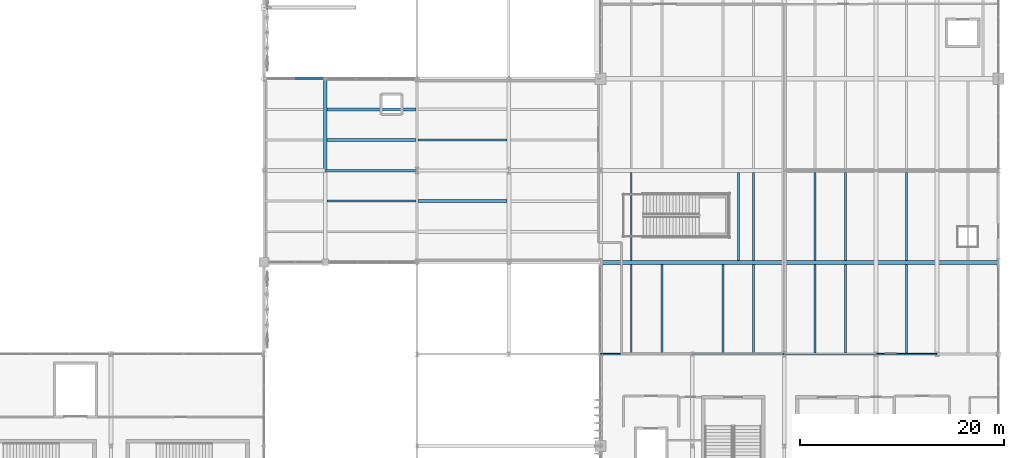
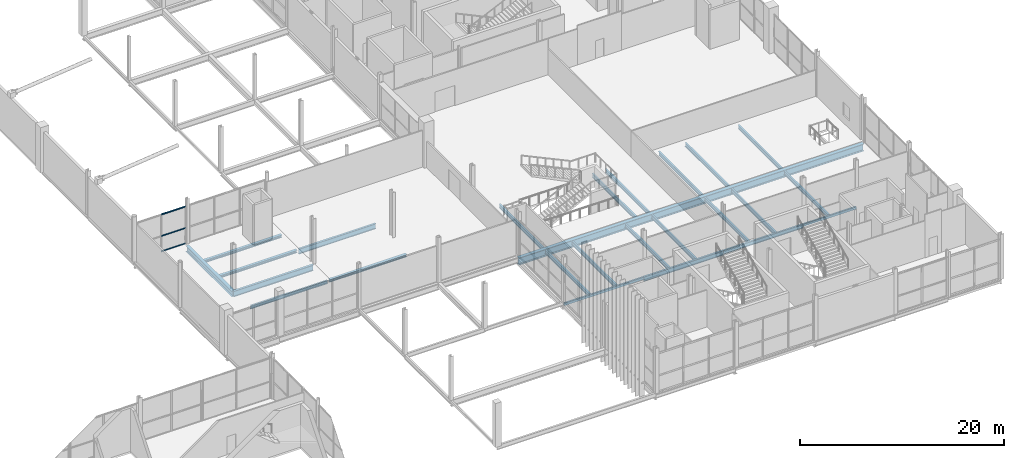
# One storey, part 46 of 119: 25 beams, 3 members, 1 element without a shape of its own.
"""IFC4 building model written with IfcOpenShell, lengths in metres."""

from ifc_helpers import new_model, si_unit, direction, frame, origin, origin_2d, place, context, subcontext, project, spatial, rectangle, hollow_rectangle, i_section, extrude, material, layer, layer_set, material_profile, profile_set, type_object, element, aggregate, save


model = new_model("IFC4")

# Units and contexts
model_context = context("Model", 3, precision=1e-05, world=origin(), true_north=direction((0.0, 1.0)))
body_context = subcontext(model_context, "Body", "Model", "MODEL_VIEW")
ifc_project = project(units=[si_unit("LENGTHUNIT", "METRE"), si_unit("AREAUNIT", "SQUARE_METRE"), si_unit("VOLUMEUNIT", "CUBIC_METRE"), si_unit("PLANEANGLEUNIT", "RADIAN"), si_unit("MASSUNIT", "GRAM", prefix="KILO")], contexts=[model_context])

# Site, building, storey
site_placement = place(None, origin())
site = spatial("IfcSite", under=ifc_project, at=site_placement, CompositionType="ELEMENT")
building_placement = place(site_placement, origin())
building = spatial("IfcBuilding", under=site, at=building_placement, Name="Qamarlyn Nura Convention Centre", CompositionType="ELEMENT")
storey_placement = place(building_placement, frame((0.0, 0.0, 5.39990234375)))
storey = spatial("IfcBuildingStorey", under=building, at=storey_placement, Name="L01", CompositionType="ELEMENT", Elevation=5.39990234375)

# Beams
ifc_material_1 = material(Name="Steel ASTM A992", Category="steel")
ifc_material_profile_1 = material_profile(ifc_material_1, i_section(OverallWidth=0.35498046875, OverallDepth=0.695068359375, WebThickness=0.015380859375, FlangeThickness=0.02490234375, FilletRadius=0.01806640625, at=origin_2d()), Name="W690X217")
ifc_profile_set_1 = profile_set([ifc_material_profile_1], Name="Steel ASTM A992")
beam_type_1 = type_object("IfcBeamType", Name="BM-GIRD-690A", PredefinedType="BEAM", material=ifc_profile_set_1)
beam_1_placement = place(storey_placement, frame((126.0, 36.0, -0.58740234375), z_axis=(0.0, 1.0, 0.0), x_axis=(-1.0, 0.0, 0.0)))
element("IfcBeam", 1, at=beam_1_placement, inside=storey, type_object=beam_type_1, Name="L01 girder 10 E-F", PredefinedType="BEAM", context=body_context, shape_type="SweptSolid", body=[
    extrude(i_section(OverallWidth=0.35498046875, OverallDepth=0.695068359375, WebThickness=0.015380859375, FlangeThickness=0.02490234375, FilletRadius=0.01806640625, at=origin_2d()), origin(), (0.0, 0.0, 1.0), 9.0),
])
ifc_material_profile_2 = material_profile(ifc_material_1, i_section(OverallWidth=0.25390625, OverallDepth=0.68408203125, WebThickness=0.012451171875, FlangeThickness=0.01904296875, FilletRadius=0.01806640625, at=origin_2d()), Name="W690X140")
ifc_profile_set_2 = profile_set([ifc_material_profile_2], Name="Steel ASTM A992")
beam_type_2 = type_object("IfcBeamType", Name="BM-GIRD-690B", PredefinedType="BEAM", material=ifc_profile_set_2)
beam_2_placement = place(storey_placement, frame((126.0, 36.0, -0.581787109375), z_axis=(1.0, 0.0, 0.0), x_axis=(0.0, 1.0, 0.0)))
element("IfcBeam", 2, at=beam_2_placement, inside=storey, type_object=beam_type_2, Name="L01 girder E 10-11", PredefinedType="BEAM", context=body_context, shape_type="SweptSolid", body=[
    extrude(i_section(OverallWidth=0.25390625, OverallDepth=0.68408203125, WebThickness=0.012451171875, FlangeThickness=0.01904296875, FilletRadius=0.01806640625, at=origin_2d()), origin(), (0.0, 0.0, 1.0), 9.0),
])
ifc_material_profile_3 = material_profile(ifc_material_1, i_section(OverallWidth=0.39990234375, OverallDepth=0.85498046875, WebThickness=0.018310546875, FlangeThickness=0.029296875, FilletRadius=0.02197265625, at=origin_2d()), Name="W840X299")
ifc_profile_set_3 = profile_set([ifc_material_profile_3], Name="Steel ASTM A992")
beam_type_3 = type_object("IfcBeamType", Name="BM-GIRD-840", PredefinedType="BEAM", material=ifc_profile_set_3)
beam_3_placement = place(storey_placement, frame((153.0, 27.0, -0.6474609375), z_axis=(1.0, 0.0, 0.0), x_axis=(0.0, 1.0, 0.0)))
element("IfcBeam", 3, at=beam_3_placement, inside=storey, type_object=beam_type_3, Name="L01 girder D 13-18", PredefinedType="BEAM", context=body_context, shape_type="SweptSolid", body=[
    extrude(i_section(OverallWidth=0.39990234375, OverallDepth=0.85498046875, WebThickness=0.018310546875, FlangeThickness=0.029296875, FilletRadius=0.02197265625, at=origin_2d()), origin(), (0.0, 0.0, 1.0), 39.0),
])
ifc_material_profile_4 = material_profile(ifc_material_1, i_section(OverallWidth=0.304931640625, OverallDepth=0.30810546875, WebThickness=0.010009765625, FlangeThickness=0.015380859375, FilletRadius=0.014892578125, at=origin_2d()), Name="W310X97")
ifc_profile_set_4 = profile_set([ifc_material_profile_4], Name="Steel ASTM A992")
beam_type_4 = type_object("IfcBeamType", Name="BM-JOIST-310", PredefinedType="JOIST", material=ifc_profile_set_4)
for number, where, z_axis, x_axis, name in (
    (4, (126.177490234375, 39.0, -0.393798828125), (1.0, 0.0, 0.0), (0.0, 1.0, 0.0), "L01 composite joist 10-11/E+1"),
    (5, (126.177490234375, 42.0, -0.393798828125), (1.0, 0.0, 0.0), (0.0, 1.0, 0.0), "L01 composite joist 10-11/E+2"),
):
    element("IfcBeam", number, at=place(storey_placement, frame(where, z_axis=z_axis, x_axis=x_axis)), inside=storey, type_object=beam_type_4, Name=name, PredefinedType="JOIST", context=body_context, shape_type="SweptSolid", body=[
        extrude(i_section(OverallWidth=0.304931640625, OverallDepth=0.30810546875, WebThickness=0.010009765625, FlangeThickness=0.015380859375, FilletRadius=0.014892578125, at=origin_2d()), origin(), (0.0, 0.0, 1.0), 8.717041015625),
    ])
beam_4_placement = place(storey_placement, frame((135.10009765625, 33.0, -0.3740234375), z_axis=(1.0, 0.0, 0.0), x_axis=(0.0, 1.0, 0.0)))
element("IfcBeam", 6, at=beam_4_placement, inside=storey, type_object=beam_type_4, Name="L01 composite joist 11-12/D+2", PredefinedType="JOIST", context=body_context, shape_type="SweptSolid", body=[
    extrude(i_section(OverallWidth=0.304931640625, OverallDepth=0.30810546875, WebThickness=0.010009765625, FlangeThickness=0.015380859375, FilletRadius=0.014892578125, at=origin_2d()), origin(), (0.0, 0.0, 1.0), 8.70947265625),
])
ifc_material_profile_5 = material_profile(ifc_material_1, i_section(OverallWidth=0.177978515625, OverallDepth=0.406982421875, WebThickness=0.0078125, FlangeThickness=0.0126953125, FilletRadius=0.011962890625, at=origin_2d()), Name="W410X60")
ifc_profile_set_5 = profile_set([ifc_material_profile_5], Name="Steel ASTM A992")
beam_type_5 = type_object("IfcBeamType", Name="BM-JOIST-410", PredefinedType="JOIST", material=ifc_profile_set_5)
beam_5_placement = place(storey_placement, frame((126.1904296875, 33.0, -0.443359375), z_axis=(1.0, 0.0, 0.0), x_axis=(0.0, 1.0, 0.0)))
element("IfcBeam", 7, at=beam_5_placement, inside=storey, type_object=beam_type_5, Name="L01 composite joist 10-11/D+2", PredefinedType="JOIST", context=body_context, shape_type="SweptSolid", body=[
    extrude(i_section(OverallWidth=0.177978515625, OverallDepth=0.406982421875, WebThickness=0.0078125, FlangeThickness=0.0126953125, FilletRadius=0.011962890625, at=origin_2d()), origin(), (0.0, 0.0, 1.0), 8.70947265625),
])
ifc_material_profile_6 = material_profile(ifc_material_1, i_section(OverallWidth=0.18994140625, OverallDepth=0.45703125, WebThickness=0.009033203125, FlangeThickness=0.014404296875, FilletRadius=0.012939453125, at=origin_2d()), Name="W460X74")
ifc_profile_set_6 = profile_set([ifc_material_profile_6], Name="Steel ASTM A992")
beam_type_6 = type_object("IfcBeamType", Name="BM-JOIST-460", PredefinedType="JOIST", material=ifc_profile_set_6)
for number, where, z_axis, x_axis, name in (
    (8, (156.0, 18.10009765625, -0.448486328125), (0.0, 1.0, 0.0), (-1.0, 0.0, 0.0), "L01 secondary joist 13-14/C-D-05"),
    (9, (159.0, 18.10009765625, -0.448486328125), (0.0, 1.0, 0.0), (-1.0, 0.0, 0.0), "L01 secondary joist 13-14/C-D-06"),
):
    element("IfcBeam", number, at=place(storey_placement, frame(where, z_axis=z_axis, x_axis=x_axis)), inside=storey, type_object=beam_type_6, Name=name, PredefinedType="JOIST", context=body_context, shape_type="SweptSolid", body=[
        extrude(i_section(OverallWidth=0.18994140625, OverallDepth=0.45703125, WebThickness=0.009033203125, FlangeThickness=0.014404296875, FilletRadius=0.012939453125, at=origin_2d()), origin(), (0.0, 0.0, 1.0), 8.699951171875),
    ])
beam_6_placement = place(storey_placement, frame((156.0, 27.199951171875, -0.448486328125), z_axis=(0.0, 1.0, 0.0), x_axis=(-1.0, 0.0, 0.0)))
element("IfcBeam", 10, at=beam_6_placement, inside=storey, type_object=beam_type_6, Name="L01 secondary joist 13-14/D-E-07", PredefinedType="JOIST", context=body_context, shape_type="SweptSolid", body=[
    extrude(i_section(OverallWidth=0.18994140625, OverallDepth=0.45703125, WebThickness=0.009033203125, FlangeThickness=0.014404296875, FilletRadius=0.012939453125, at=origin_2d()), origin(), (0.0, 0.0, 1.0), 8.60009765625),
])
for number, where, z_axis, x_axis, name in (
    (11, (165.0, 18.10546875, -0.448486328125), (0.0, 1.0, 0.0), (-1.0, 0.0, 0.0), "L01 secondary joist 14-15/C-D-14"),
    (12, (168.0, 18.10546875, -0.448486328125), (0.0, 1.0, 0.0), (-1.0, 0.0, 0.0), "L01 secondary joist 14-15/C-D-15"),
):
    element("IfcBeam", number, at=place(storey_placement, frame(where, z_axis=z_axis, x_axis=x_axis)), inside=storey, type_object=beam_type_6, Name=name, PredefinedType="JOIST", context=body_context, shape_type="SweptSolid", body=[
        extrude(i_section(OverallWidth=0.18994140625, OverallDepth=0.45703125, WebThickness=0.009033203125, FlangeThickness=0.014404296875, FilletRadius=0.012939453125, at=origin_2d()), origin(), (0.0, 0.0, 1.0), 8.694580078125),
    ])
for number, where, z_axis, x_axis, name in (
    (13, (168.0, 27.199951171875, -0.448486328125), (0.0, 1.0, 0.0), (-1.0, 0.0, 0.0), "L01 secondary joist 14-15/D-E-16"),
    (14, (166.5, 27.199951171875, -0.448486328125), (0.0, 1.0, 0.0), (-1.0, 0.0, 0.0), "L01 secondary joist 14-15/D-E-17"),
):
    element("IfcBeam", number, at=place(storey_placement, frame(where, z_axis=z_axis, x_axis=x_axis)), inside=storey, type_object=beam_type_6, Name=name, PredefinedType="JOIST", context=body_context, shape_type="SweptSolid", body=[
        extrude(i_section(OverallWidth=0.18994140625, OverallDepth=0.45703125, WebThickness=0.009033203125, FlangeThickness=0.014404296875, FilletRadius=0.012939453125, at=origin_2d()), origin(), (0.0, 0.0, 1.0), 8.60009765625),
    ])
for number, where, z_axis, x_axis, name in (
    (15, (174.0, 18.096435546875, -0.448486328125), (0.0, 1.0, 0.0), (-1.0, 0.0, 0.0), "L01 secondary joist 15-16/C-D-22"),
    (16, (177.0, 18.096435546875, -0.448486328125), (0.0, 1.0, 0.0), (-1.0, 0.0, 0.0), "L01 secondary joist 15-16/C-D-23"),
):
    element("IfcBeam", number, at=place(storey_placement, frame(where, z_axis=z_axis, x_axis=x_axis)), inside=storey, type_object=beam_type_6, Name=name, PredefinedType="JOIST", context=body_context, shape_type="SweptSolid", body=[
        extrude(i_section(OverallWidth=0.18994140625, OverallDepth=0.45703125, WebThickness=0.009033203125, FlangeThickness=0.014404296875, FilletRadius=0.012939453125, at=origin_2d()), origin(), (0.0, 0.0, 1.0), 8.70361328125),
    ])
for number, where, z_axis, x_axis, name in (
    (17, (174.0, 27.199951171875, -0.448486328125), (0.0, 1.0, 0.0), (-1.0, 0.0, 0.0), "L01 secondary joist 15-16/D-E-24"),
    (18, (177.0, 27.199951171875, -0.448486328125), (0.0, 1.0, 0.0), (-1.0, 0.0, 0.0), "L01 secondary joist 15-16/D-E-25"),
):
    element("IfcBeam", number, at=place(storey_placement, frame(where, z_axis=z_axis, x_axis=x_axis)), inside=storey, type_object=beam_type_6, Name=name, PredefinedType="JOIST", context=body_context, shape_type="SweptSolid", body=[
        extrude(i_section(OverallWidth=0.18994140625, OverallDepth=0.45703125, WebThickness=0.009033203125, FlangeThickness=0.014404296875, FilletRadius=0.012939453125, at=origin_2d()), origin(), (0.0, 0.0, 1.0), 8.60009765625),
    ])
beam_7_placement = place(storey_placement, frame((183.0, 18.10009765625, -0.448486328125), z_axis=(0.0, 1.0, 0.0), x_axis=(-1.0, 0.0, 0.0)))
element("IfcBeam", 19, at=beam_7_placement, inside=storey, type_object=beam_type_6, Name="L01 secondary joist 16-17/C-D-36", PredefinedType="JOIST", context=body_context, shape_type="SweptSolid", body=[
    extrude(i_section(OverallWidth=0.18994140625, OverallDepth=0.45703125, WebThickness=0.009033203125, FlangeThickness=0.014404296875, FilletRadius=0.012939453125, at=origin_2d()), origin(), (0.0, 0.0, 1.0), 8.699951171875),
])
beam_8_placement = place(storey_placement, frame((183.0, 27.199951171875, -0.448486328125), z_axis=(0.0, 1.0, 0.0), x_axis=(-1.0, 0.0, 0.0)))
element("IfcBeam", 20, at=beam_8_placement, inside=storey, type_object=beam_type_6, Name="L01 secondary joist 16-17/D-E-37", PredefinedType="JOIST", context=body_context, shape_type="SweptSolid", body=[
    extrude(i_section(OverallWidth=0.18994140625, OverallDepth=0.45703125, WebThickness=0.009033203125, FlangeThickness=0.014404296875, FilletRadius=0.012939453125, at=origin_2d()), origin(), (0.0, 0.0, 1.0), 8.60009765625),
])
ifc_material_profile_7 = material_profile(ifc_material_1, i_section(OverallWidth=0.22802734375, OverallDepth=0.60791015625, WebThickness=0.01123046875, FlangeThickness=0.017333984375, FilletRadius=0.01611328125, at=origin_2d()), Name="W610X113")
ifc_profile_set_7 = profile_set([ifc_material_profile_7], Name="Steel ASTM A992")
beam_type_7 = type_object("IfcBeamType", Name="BM-JOIST-610", PredefinedType="JOIST", material=ifc_profile_set_7)
beam_9_placement = place(storey_placement, frame((135.10546875, 39.0, -0.52392578125), z_axis=(1.0, 0.0, 0.0), x_axis=(0.0, 1.0, 0.0)))
element("IfcBeam", 21, at=beam_9_placement, inside=storey, type_object=beam_type_7, Name="L01 composite joist 11-12/E+1", PredefinedType="JOIST", context=body_context, shape_type="SweptSolid", body=[
    extrude(i_section(OverallWidth=0.22802734375, OverallDepth=0.60791015625, WebThickness=0.01123046875, FlangeThickness=0.017333984375, FilletRadius=0.01611328125, at=origin_2d()), origin(), (0.0, 0.0, 1.0), 8.717041015625),
])
ifc_material_profile_8 = material_profile(ifc_material_1, i_section(OverallWidth=0.193115234375, OverallDepth=0.466064453125, WebThickness=0.011474609375, FlangeThickness=0.01904296875, FilletRadius=0.012939453125, at=origin_2d()), Name="W460X97")
ifc_profile_set_8 = profile_set([ifc_material_profile_8], Name="Steel ASTM A992")
beam_type_8 = type_object("IfcBeamType", Name="BM-SPAN-460", PredefinedType="SPANDREL", material=ifc_profile_set_8)
beam_10_placement = place(storey_placement, frame((171.0, 18.0, -0.452880859375), z_axis=(1.0, 0.0, 0.0), x_axis=(0.0, 1.0, 0.0)))
element("IfcBeam", 22, at=beam_10_placement, inside=storey, type_object=beam_type_8, Name="L01 girder C 15-16", PredefinedType="SPANDREL", context=body_context, shape_type="SweptSolid", body=[
    extrude(i_section(OverallWidth=0.193115234375, OverallDepth=0.466064453125, WebThickness=0.011474609375, FlangeThickness=0.01904296875, FilletRadius=0.012939453125, at=origin_2d()), origin(), (0.0, 0.0, 1.0), 9.0),
])
ifc_material_profile_9 = material_profile(ifc_material_1, i_section(OverallWidth=0.2109375, OverallDepth=0.5390625, WebThickness=0.01171875, FlangeThickness=0.018798828125, FilletRadius=0.013916015625, at=origin_2d()), Name="W530X109")
ifc_profile_set_9 = profile_set([ifc_material_profile_9], Name="Steel ASTM A992")
beam_type_9 = type_object("IfcBeamType", Name="BM-SPAN-530", PredefinedType="SPANDREL", material=ifc_profile_set_9)
beam_11_placement = place(storey_placement, frame((162.0, 18.0, -0.489501953125), z_axis=(1.0, 0.0, 0.0), x_axis=(0.0, 1.0, 0.0)))
element("IfcBeam", 23, at=beam_11_placement, inside=storey, type_object=beam_type_9, Name="L01 girder C 14-15", PredefinedType="SPANDREL", context=body_context, shape_type="SweptSolid", body=[
    extrude(i_section(OverallWidth=0.2109375, OverallDepth=0.5390625, WebThickness=0.01171875, FlangeThickness=0.018798828125, FilletRadius=0.013916015625, at=origin_2d()), origin(), (0.0, 0.0, 1.0), 9.0),
])
ifc_material_2 = material(Name="Steel ASTM A500 Grade C", Category="steel")
ifc_material_profile_10 = material_profile(ifc_material_2, hollow_rectangle(XDim=0.199951171875, YDim=0.300048828125, WallThickness=0.012451171875, InnerFilletRadius=0.012451171875, OuterFilletRadius=0.02490234375, at=origin_2d()), Name="HSS300X200X12.5")
ifc_profile_set_10 = profile_set([ifc_material_profile_10], Name="Steel ASTM A500 Grade C")
beam_type_10 = type_object("IfcBeamType", Name="BM-SPAN-HSS", PredefinedType="SPANDREL", material=ifc_profile_set_10)
beam_12_placement = place(storey_placement, frame((153.0, 18.0, -0.369873046875), z_axis=(1.0, 0.0, 0.0), x_axis=(0.0, 1.0, 0.0)))
element("IfcBeam", 24, at=beam_12_placement, inside=storey, type_object=beam_type_10, Name="L01 girder C 13-14", PredefinedType="SPANDREL", context=body_context, shape_type="SweptSolid", body=[
    extrude(hollow_rectangle(XDim=0.199951171875, YDim=0.300048828125, WallThickness=0.012451171875, InnerFilletRadius=0.012451171875, OuterFilletRadius=0.02490234375, at=origin_2d()), origin(), (0.0, 0.0, 1.0), 9.0),
])
beam_13_placement = place(storey_placement, frame((180.0, 18.0, -0.369873046875), z_axis=(1.0, 0.0, 0.0), x_axis=(0.0, 1.0, 0.0)))
element("IfcBeam", 25, at=beam_13_placement, inside=storey, type_object=beam_type_10, Name="L01 girder C 16-17", PredefinedType="SPANDREL", context=body_context, shape_type="SweptSolid", body=[
    extrude(hollow_rectangle(XDim=0.199951171875, YDim=0.300048828125, WallThickness=0.012451171875, InnerFilletRadius=0.012451171875, OuterFilletRadius=0.02490234375, at=origin_2d()), origin(), (0.0, 0.0, 1.0), 6.0),
])

# Curtain wall, members
ifc_material_3 = material(Name="Double-silver low-E insulated glass", Category="glass")
ifc_layer = layer(ifc_material_3, 0.179931640625, Name="CW-UNIT-51")
ifc_layer_set = layer_set([ifc_layer], Name="Double-silver low-E insulated glass")
curtain_wall_type = type_object("IfcCurtainWallType", Name="CW-UNIT-51", PredefinedType="NOTDEFINED", material=ifc_layer_set)
curtain_wall_placement = place(storey_placement, origin())
curtain_wall = element("IfcCurtainWall", 26, at=curtain_wall_placement, inside=storey, type_object=curtain_wall_type, Name="L01 unitised curtain wall BRG-N-1", PredefinedType="NOTDEFINED")
ifc_material_4 = material(Name="Champagne-anodised marine aluminium", Category="aluminium")
ifc_material_profile_11 = material_profile(ifc_material_4, rectangle(XDim=0.070068359375, YDim=0.139892578125, at=origin_2d()), Name="ALU TRANSOM 70x140")
ifc_profile_set_11 = profile_set([ifc_material_profile_11], Name="Champagne-anodised marine aluminium")
member_type = type_object("IfcMemberType", Name="CWT-140", PredefinedType="USERDEFINED", material=ifc_profile_set_11)
member_1_placement = place(storey_placement, frame((123.085693359375, 45.0, 0.03515625), z_axis=(1.0, 0.0, 0.0), x_axis=(0.0, 1.0, 0.0)))
member_1 = element("IfcMember", 27, at=member_1_placement, type_object=member_type, Name="CW51 transom 2.1", ObjectType="TRANSOM", PredefinedType="USERDEFINED", context=body_context, shape_type="SweptSolid", body=[
    extrude(rectangle(XDim=0.070068359375, YDim=0.139892578125, at=origin_2d()), origin(), (0.0, 0.0, 1.0), 2.69189453125),
])
member_2_placement = place(storey_placement, frame((123.085693359375, 45.0, 1.8740234375), z_axis=(1.0, 0.0, 0.0), x_axis=(0.0, 1.0, 0.0)))
member_2 = element("IfcMember", 28, at=member_2_placement, type_object=member_type, Name="CW51 transom 2.2", ObjectType="TRANSOM", PredefinedType="USERDEFINED", context=body_context, shape_type="SweptSolid", body=[
    extrude(rectangle(XDim=0.070068359375, YDim=0.139892578125, at=origin_2d()), origin(), (0.0, 0.0, 1.0), 2.69189453125),
])
member_3_placement = place(storey_placement, frame((123.085693359375, 45.0, 4.426025390625), z_axis=(1.0, 0.0, 0.0), x_axis=(0.0, 1.0, 0.0)))
member_3 = element("IfcMember", 29, at=member_3_placement, type_object=member_type, Name="CW51 transom 2.3", ObjectType="TRANSOM", PredefinedType="USERDEFINED", context=body_context, shape_type="SweptSolid", body=[
    extrude(rectangle(XDim=0.070068359375, YDim=0.139892578125, at=origin_2d()), origin(), (0.0, 0.0, 1.0), 2.69189453125),
])
aggregate(curtain_wall, [member_1, member_2, member_3])

save(model, "model.ifc")
